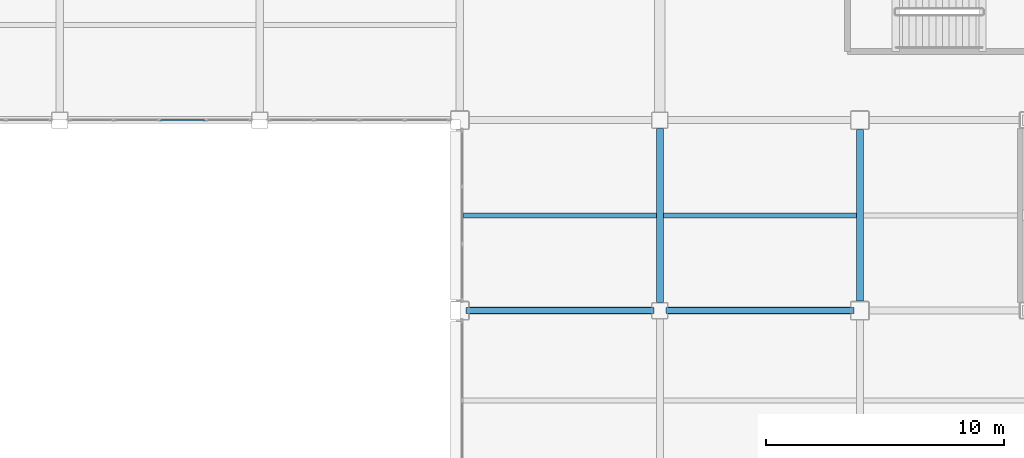
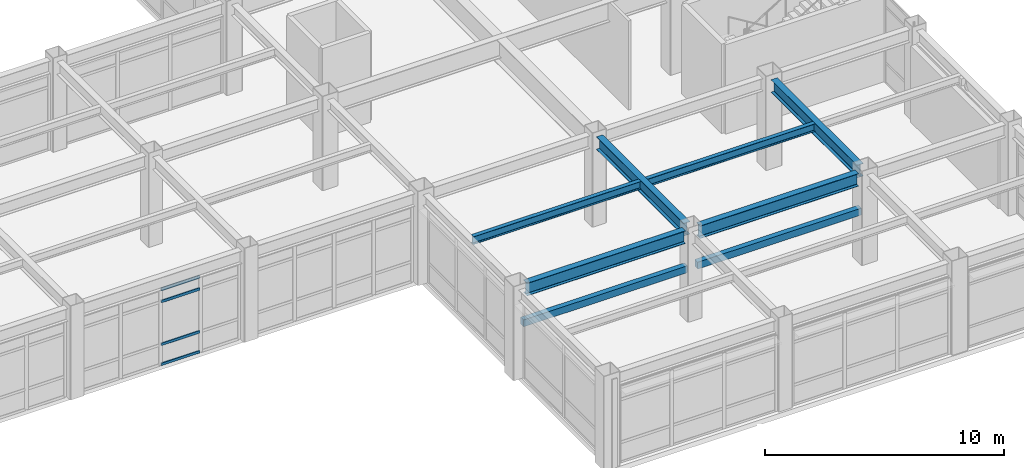
# One storey, part 83 of 154: 8 beams, 4 members, 1 element without a shape of its own.
"""IFC4 building model written with IfcOpenShell, lengths in metres."""

from ifc_helpers import new_model, si_unit, direction, frame, origin, origin_2d, place, context, subcontext, project, spatial, rectangle, hollow_rectangle, i_section, extrude, material, layer, layer_set, material_profile, profile_set, type_object, element, aggregate, save


model = new_model("IFC4")

# Units and contexts
model_context = context("Model", 3, precision=1e-05, world=origin(), true_north=direction((0.0, 1.0)))
body_context = subcontext(model_context, "Body", "Model", "MODEL_VIEW")
ifc_project = project(units=[si_unit("LENGTHUNIT", "METRE"), si_unit("AREAUNIT", "SQUARE_METRE"), si_unit("VOLUMEUNIT", "CUBIC_METRE"), si_unit("PLANEANGLEUNIT", "RADIAN"), si_unit("MASSUNIT", "GRAM", prefix="KILO")], contexts=[model_context])

# Site, building, storey
site_placement = place(None, origin())
site = spatial("IfcSite", under=ifc_project, at=site_placement, CompositionType="ELEMENT")
building_placement = place(site_placement, origin())
building = spatial("IfcBuilding", under=site, at=building_placement, Name="Kazehara Bluff Congress Hotel", CompositionType="ELEMENT")
storey_placement = place(building_placement, frame((0.0, 0.0, 10.199951171875)))
storey = spatial("IfcBuildingStorey", under=building, at=storey_placement, Name="L02", CompositionType="ELEMENT", Elevation=10.199951171875)

# Curtain wall, members
ifc_material_1 = material(Name="Anodised aluminium", Category="aluminium")
ifc_layer = layer(ifc_material_1, 0.159912109375)
ifc_layer_set = layer_set([ifc_layer], Name="Anodised aluminium")
curtain_wall_type = type_object("IfcCurtainWallType", Name="TP-CW-79", PredefinedType="NOTDEFINED", material=ifc_layer_set)
curtain_wall_placement = place(storey_placement, origin())
curtain_wall = element("IfcCurtainWall", 1, at=curtain_wall_placement, inside=storey, type_object=curtain_wall_type, Name="L02 curtain wall CW-79 CW-V5-L02-Y1600-12725", PredefinedType="NOTDEFINED")
ifc_material_2 = material(Name="Anodised aluminium", Category="aluminium")
ifc_material_profile_1 = material_profile(ifc_material_2, hollow_rectangle(XDim=0.06494140625, YDim=0.139892578125, WallThickness=0.00390625, InnerFilletRadius=0.00390625, OuterFilletRadius=0.008056640625, at=origin_2d()))
ifc_profile_set_1 = profile_set([ifc_material_profile_1], Name="Anodised aluminium")
member_type = type_object("IfcMemberType", Name="TP-CWT-02", PredefinedType="USERDEFINED", material=ifc_profile_set_1)
member_1_placement = place(storey_placement, frame((131.132568359375, 16.0, 0.032470703125), z_axis=(1.0, 0.0, 0.0), x_axis=(0.0, 1.0, 0.0)))
member_1 = element("IfcMember", 2, at=member_1_placement, type_object=member_type, Name="CW-79 transom 3.1", ObjectType="TRANSOM", PredefinedType="USERDEFINED", context=body_context, shape_type="SweptSolid", body=[
    extrude(hollow_rectangle(XDim=0.06494140625, YDim=0.139892578125, WallThickness=0.00390625, InnerFilletRadius=0.00390625, OuterFilletRadius=0.008056640625, at=origin_2d()), origin(), (0.0, 0.0, 1.0), 1.85986328125),
])
member_2_placement = place(storey_placement, frame((131.132568359375, 16.0, 1.050048828125), z_axis=(1.0, 0.0, 0.0), x_axis=(0.0, 1.0, 0.0)))
member_2 = element("IfcMember", 3, at=member_2_placement, type_object=member_type, Name="CW-79 transom 3.2", ObjectType="TRANSOM", PredefinedType="USERDEFINED", context=body_context, shape_type="SweptSolid", body=[
    extrude(hollow_rectangle(XDim=0.06494140625, YDim=0.139892578125, WallThickness=0.00390625, InnerFilletRadius=0.00390625, OuterFilletRadius=0.008056640625, at=origin_2d()), origin(), (0.0, 0.0, 1.0), 1.85986328125),
])
member_3_placement = place(storey_placement, frame((131.132568359375, 16.0, 3.235107421875), z_axis=(1.0, 0.0, 0.0), x_axis=(0.0, 1.0, 0.0)))
member_3 = element("IfcMember", 4, at=member_3_placement, type_object=member_type, Name="CW-79 transom 3.3", ObjectType="TRANSOM", PredefinedType="USERDEFINED", context=body_context, shape_type="SweptSolid", body=[
    extrude(hollow_rectangle(XDim=0.06494140625, YDim=0.139892578125, WallThickness=0.00390625, InnerFilletRadius=0.00390625, OuterFilletRadius=0.008056640625, at=origin_2d()), origin(), (0.0, 0.0, 1.0), 1.85986328125),
])
member_4_placement = place(storey_placement, frame((131.132568359375, 16.0, 3.8525390625), z_axis=(1.0, 0.0, 0.0), x_axis=(0.0, 1.0, 0.0)))
member_4 = element("IfcMember", 5, at=member_4_placement, type_object=member_type, Name="CW-79 transom 3.4", ObjectType="TRANSOM", PredefinedType="USERDEFINED", context=body_context, shape_type="SweptSolid", body=[
    extrude(hollow_rectangle(XDim=0.06494140625, YDim=0.139892578125, WallThickness=0.00390625, InnerFilletRadius=0.00390625, OuterFilletRadius=0.008056640625, at=origin_2d()), origin(), (0.0, 0.0, 1.0), 1.85986328125),
])
aggregate(curtain_wall, [member_1, member_2, member_3, member_4])

# Beams
ifc_material_3 = material(Name="Steel SN490B", Category="steel")
ifc_material_profile_2 = material_profile(ifc_material_3, i_section(OverallWidth=0.300048828125, OverallDepth=0.64990234375, WebThickness=0.011962890625, FlangeThickness=0.02001953125, FilletRadius=0.012939453125, at=origin_2d()))
ifc_profile_set_2 = profile_set([ifc_material_profile_2], Name="Steel SN490B")
beam_type_1 = type_object("IfcBeamType", Name="TP-G-03", PredefinedType="BEAM", material=ifc_profile_set_2)
beam_1_placement = place(storey_placement, frame((152.10009765625, 8.35009765625, 4.235107421875), z_axis=(0.0, 1.0, 0.0), x_axis=(-1.0, 0.0, 0.0)))
element("IfcBeam", 6, at=beam_1_placement, inside=storey, type_object=beam_type_1, Name="L02 girder G-03 152", PredefinedType="BEAM", context=body_context, shape_type="SweptSolid", body=[
    extrude(i_section(OverallWidth=0.300048828125, OverallDepth=0.64990234375, WebThickness=0.011962890625, FlangeThickness=0.02001953125, FilletRadius=0.012939453125, at=origin_2d()), origin(), (0.0, 0.0, 1.0), 7.2998046875),
])
beam_2_placement = place(storey_placement, frame((160.5, 8.39990234375, 4.235107421875), z_axis=(0.0, 1.0, 0.0), x_axis=(-1.0, 0.0, 0.0)))
element("IfcBeam", 7, at=beam_2_placement, inside=storey, type_object=beam_type_1, Name="L02 girder G-03 159", PredefinedType="BEAM", context=body_context, shape_type="SweptSolid", body=[
    extrude(i_section(OverallWidth=0.300048828125, OverallDepth=0.64990234375, WebThickness=0.011962890625, FlangeThickness=0.02001953125, FilletRadius=0.012939453125, at=origin_2d()), origin(), (0.0, 0.0, 1.0), 7.2001953125),
])
beam_3_placement = place(storey_placement, frame((144.10009765625, 8.0, 4.235107421875), z_axis=(1.0, 0.0, 0.0), x_axis=(0.0, 1.0, 0.0)))
element("IfcBeam", 8, at=beam_3_placement, inside=storey, type_object=beam_type_1, Name="L02 girder G-03 183", PredefinedType="BEAM", context=body_context, shape_type="SweptSolid", body=[
    extrude(i_section(OverallWidth=0.300048828125, OverallDepth=0.64990234375, WebThickness=0.011962890625, FlangeThickness=0.02001953125, FilletRadius=0.012939453125, at=origin_2d()), origin(), (0.0, 0.0, 1.0), 7.64990234375),
])
beam_4_placement = place(storey_placement, frame((152.449951171875, 8.0, 4.235107421875), z_axis=(1.0, 0.0, 0.0), x_axis=(0.0, 1.0, 0.0)))
element("IfcBeam", 9, at=beam_4_placement, inside=storey, type_object=beam_type_1, Name="L02 girder G-03 184", PredefinedType="BEAM", context=body_context, shape_type="SweptSolid", body=[
    extrude(i_section(OverallWidth=0.300048828125, OverallDepth=0.64990234375, WebThickness=0.011962890625, FlangeThickness=0.02001953125, FilletRadius=0.012939453125, at=origin_2d()), origin(), (0.0, 0.0, 1.0), 7.650146484375),
])
ifc_material_4 = material(Name="Steel SN400B", Category="steel")
ifc_material_profile_3 = material_profile(ifc_material_4, i_section(OverallWidth=0.199951171875, OverallDepth=0.39990234375, WebThickness=0.008056640625, FlangeThickness=0.012939453125, FilletRadius=0.012939453125, at=origin_2d()))
ifc_profile_set_3 = profile_set([ifc_material_profile_3], Name="Steel SN400B")
beam_type_2 = type_object("IfcBeamType", Name="TP-J-03", PredefinedType="JOIST", material=ifc_profile_set_3)
beam_5_placement = place(storey_placement, frame((143.85009765625, 12.0, 4.360107421875), z_axis=(1.0, 0.0, 0.0), x_axis=(0.0, 1.0, 0.0)))
element("IfcBeam", 10, at=beam_5_placement, inside=storey, type_object=beam_type_2, Name="L02 secondary joist J-03 36", PredefinedType="JOIST", context=body_context, shape_type="SweptSolid", body=[
    extrude(i_section(OverallWidth=0.199951171875, OverallDepth=0.39990234375, WebThickness=0.008056640625, FlangeThickness=0.012939453125, FilletRadius=0.012939453125, at=origin_2d()), origin(), (0.0, 0.0, 1.0), 8.099853515625),
])
beam_6_placement = place(storey_placement, frame((152.25, 12.0, 4.360107421875), z_axis=(1.0, 0.0, 0.0), x_axis=(0.0, 1.0, 0.0)))
element("IfcBeam", 11, at=beam_6_placement, inside=storey, type_object=beam_type_2, Name="L02 secondary joist J-03 40", PredefinedType="JOIST", context=body_context, shape_type="SweptSolid", body=[
    extrude(i_section(OverallWidth=0.199951171875, OverallDepth=0.39990234375, WebThickness=0.008056640625, FlangeThickness=0.012939453125, FilletRadius=0.012939453125, at=origin_2d()), origin(), (0.0, 0.0, 1.0), 8.10009765625),
])
ifc_material_5 = material(Name="Concrete C40/50", Category="concrete")
ifc_material_profile_4 = material_profile(ifc_material_5, rectangle(XDim=0.25, YDim=0.35009765625, at=origin_2d()))
ifc_profile_set_4 = profile_set([ifc_material_profile_4], Name="Concrete C40/50")
beam_type_3 = type_object("IfcBeamType", Name="TP-LN-01", PredefinedType="LINTEL", material=ifc_profile_set_4)
beam_7_placement = place(storey_placement, frame((143.949951171875, 8.0, 2.550048828125), z_axis=(1.0, 0.0, 0.0), x_axis=(0.0, 1.0, 0.0)))
element("IfcBeam", 12, at=beam_7_placement, inside=storey, type_object=beam_type_3, Name="L02 corridor portal lintel 3", PredefinedType="LINTEL", context=body_context, shape_type="SweptSolid", body=[
    extrude(rectangle(XDim=0.25, YDim=0.35009765625, at=origin_2d()), origin(), (0.0, 0.0, 1.0), 7.900146484375),
])
beam_8_placement = place(storey_placement, frame((152.35009765625, 8.0, 2.550048828125), z_axis=(1.0, 0.0, 0.0), x_axis=(0.0, 1.0, 0.0)))
element("IfcBeam", 13, at=beam_8_placement, inside=storey, type_object=beam_type_3, Name="L02 corridor portal lintel 4", PredefinedType="LINTEL", context=body_context, shape_type="SweptSolid", body=[
    extrude(rectangle(XDim=0.25, YDim=0.35009765625, at=origin_2d()), origin(), (0.0, 0.0, 1.0), 7.89990234375),
])

save(model, "model.ifc")
